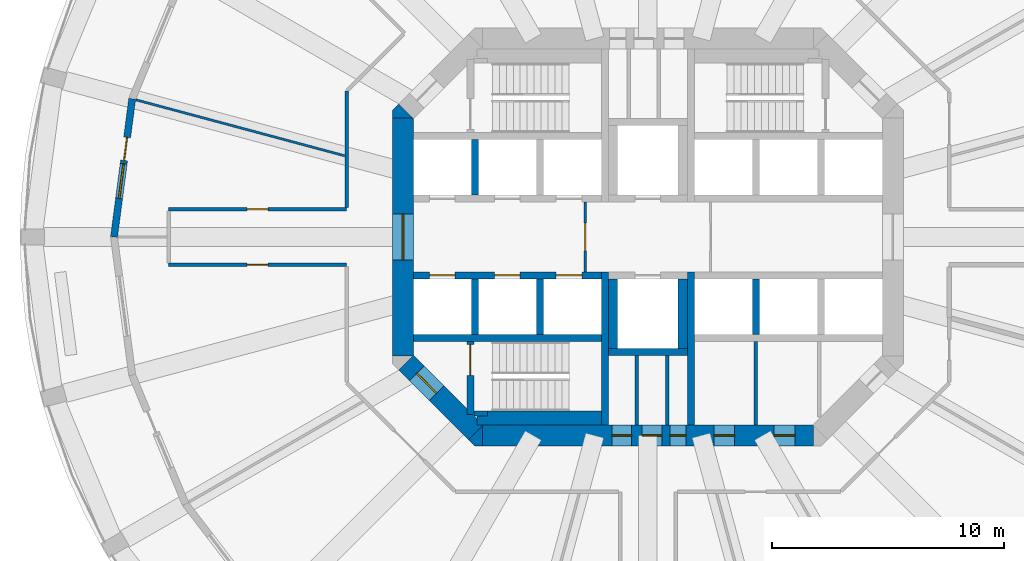
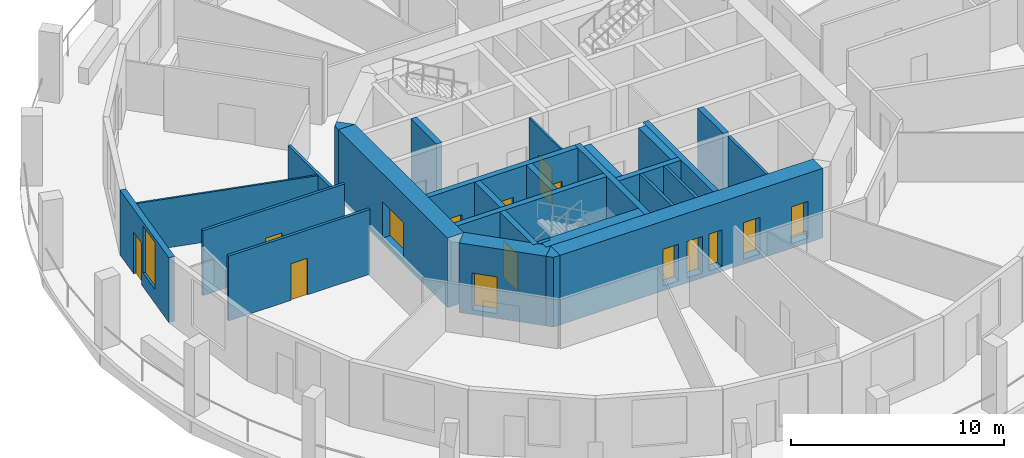
# One storey, part 3 of 9: 28 walls, 15 doors, 1 window, 16 openings.
"""IFC4 building model written with IfcOpenShell, lengths in metres."""

import ifcopenshell
import ifcopenshell.guid

model = None  # the IFC model being written
_history = None  # IfcOwnerHistory: only IFC2X3 demands one
_inside = {}  # id of a spatial element -> (the spatial element, [elements in it])
_under = {}  # id of a project, library or spatial element -> (it, [spatial elements below it])
_declared = {}  # id of a project -> (the project, [libraries it declares])
_typed = {}  # id of a type object -> (the type object, [elements of that type])
_made_of = {}  # id of a material, layer set ... -> (it, [elements and type objects made of it])


def new_model(schema):
    """Start an empty IFC model of exactly this schema.

    Asked for "IFC4X3", IfcOpenShell would pick the latest addendum, in which some entities
    have other attributes; the version numbers below select the first issue.
    IFC2X3 requires an IfcOwnerHistory on every rooted entity: one is made here for all.
    """
    global model, _history
    if schema == "IFC4X3":
        model = ifcopenshell.file(schema_version=(4, 3, 0, 0))
    else:
        model = ifcopenshell.file(schema=schema)
    _inside.clear()
    _under.clear()
    _declared.clear()
    _typed.clear()
    _made_of.clear()
    _history = None
    if model.schema == "IFC2X3":
        org = make("IfcOrganization", Name="unknown")
        user = make(
            "IfcPersonAndOrganization",
            ThePerson=make("IfcPerson", FamilyName="unknown"),
            TheOrganization=org,
        )
        app = make(
            "IfcApplication",
            ApplicationDeveloper=org,
            Version="unknown",
            ApplicationFullName="unknown",
            ApplicationIdentifier="unknown",
        )
        _history = make(
            "IfcOwnerHistory",
            OwningUser=user,
            OwningApplication=app,
            ChangeAction="ADDED",
            CreationDate=0,
        )
    return model


def make(cls, **values):
    """One entity of the class cls with the attributes given. An attribute that is None is left unset."""
    return model.create_entity(
        cls, **{name: value for name, value in values.items() if value is not None}
    )


def rooted(cls, **values):
    """An entity with a GlobalId (a new one), such as an element, a storey or a relation."""
    return make(cls, GlobalId=ifcopenshell.guid.new(), OwnerHistory=_history, **values)


def si_unit(unit_type, name, prefix=None):
    """IfcSIUnit, for example si_unit("LENGTHUNIT", "METRE", prefix="MILLI")."""
    return make("IfcSIUnit", UnitType=unit_type, Prefix=prefix, Name=name)


def assignment(units):
    """IfcUnitAssignment: the units of a project."""
    return None if units is None else make("IfcUnitAssignment", Units=units)


def point(xyz):
    """IfcCartesianPoint."""
    return None if xyz is None else make("IfcCartesianPoint", Coordinates=xyz)


def direction(xyz):
    """IfcDirection."""
    return None if xyz is None else make("IfcDirection", DirectionRatios=xyz)


def frame(location, z_axis=None, x_axis=None):
    """IfcAxis2Placement3D, a coordinate frame: its origin and axes. An axis left out is left unset."""
    return make(
        "IfcAxis2Placement3D",
        Location=point(location),
        Axis=direction(z_axis),
        RefDirection=direction(x_axis),
    )


def frame_2d(location, x_axis=None):
    """IfcAxis2Placement2D, a coordinate frame in the plane: its origin and x axis."""
    return make(
        "IfcAxis2Placement2D", Location=point(location), RefDirection=direction(x_axis)
    )


def origin():
    """The frame at (0, 0, 0) with its axes left unset."""
    return frame((0.0, 0.0, 0.0))


def place(relative_to, where):
    """IfcLocalPlacement: puts the frame where relative to a parent placement (None: the world)."""
    return make(
        "IfcLocalPlacement", PlacementRelTo=relative_to, RelativePlacement=where
    )


def context(
    kind, dimensions, precision=None, world=None, true_north=None, identifier=None
):
    """IfcGeometricRepresentationContext, for example the 3D "Model" context."""
    return make(
        "IfcGeometricRepresentationContext",
        ContextIdentifier=identifier,
        ContextType=kind,
        CoordinateSpaceDimension=dimensions,
        Precision=precision,
        WorldCoordinateSystem=world,
        TrueNorth=true_north,
    )


def subcontext(parent, identifier, kind, view, scale=None):
    """IfcGeometricRepresentationSubContext, for example "Body" below "Model"."""
    return make(
        "IfcGeometricRepresentationSubContext",
        ContextIdentifier=identifier,
        ContextType=kind,
        ParentContext=parent,
        TargetScale=scale,
        TargetView=view,
    )


def project(units=None, contexts=None):
    """IfcProject with its units and contexts."""
    return rooted(
        "IfcProject",
        Name="project",
        RepresentationContexts=contexts,
        UnitsInContext=assignment(units),
    )


def spatial(cls, under=None, at=None, **own):
    """A site, building, storey or space (cls), placed at a placement, below another one or the project."""
    s = rooted(cls, ObjectPlacement=at, **own)
    if under is not None:
        _under.setdefault(under.id(), (under, []))[1].append(s)
    return s


def polyline(points):
    """IfcPolyline through the points."""
    return make("IfcPolyline", Points=[point(p) for p in points])


def profile(cls, at=None, kind="AREA", **sizes):
    """A parametric profile (cls). Its sizes go by their IFC names, for example OverallWidth=200.0."""
    return make(cls, ProfileType=kind, Position=at, **sizes)


def rectangle(**sizes):
    """IfcRectangleProfileDef."""
    return profile("IfcRectangleProfileDef", **sizes)


def outline(outer, holes=None, kind="AREA"):
    """IfcArbitraryClosedProfileDef: a profile drawn as a closed curve; with holes, ...WithVoids."""
    if holes is None:
        return make("IfcArbitraryClosedProfileDef", ProfileType=kind, OuterCurve=outer)
    return make(
        "IfcArbitraryProfileDefWithVoids",
        ProfileType=kind,
        OuterCurve=outer,
        InnerCurves=holes,
    )


def extrude(swept, where, along, depth):
    """IfcExtrudedAreaSolid: the profile swept, set in the frame where, extruded along a direction by depth."""
    return make(
        "IfcExtrudedAreaSolid",
        SweptArea=swept,
        Position=where,
        ExtrudedDirection=direction(along),
        Depth=depth,
    )


def shape(context_of_items, identifier, shape_type, items):
    """IfcShapeRepresentation: the items that make up one representation, for example the "Body"."""
    return make(
        "IfcShapeRepresentation",
        ContextOfItems=context_of_items,
        RepresentationIdentifier=identifier,
        RepresentationType=shape_type,
        Items=items,
    )


def material(Name=None, Category=None):
    """IfcMaterial."""
    return make("IfcMaterial", Name=Name, Category=Category)


def layer(
    of_material, thickness, ventilated=None, Name=None, Category=None, Priority=None
):
    """IfcMaterialLayer: one layer of a wall or slab, of a material (None: an air gap)."""
    return make(
        "IfcMaterialLayer",
        Material=of_material,
        LayerThickness=thickness,
        IsVentilated=ventilated,
        Name=Name,
        Category=Category,
        Priority=Priority,
    )


def layer_set(layers, Name=None):
    """IfcMaterialLayerSet."""
    return make("IfcMaterialLayerSet", MaterialLayers=layers, LayerSetName=Name)


def made_of(thing, what):
    """Note that an element or type object is made of a material, layer set ...; save() writes the relation."""
    if what is not None:
        _made_of.setdefault(what.id(), (what, []))[1].append(thing)
    return thing


def type_object(cls, material=None, **own):
    """A type object (cls), such as IfcWallType, which elements share."""
    return made_of(rooted(cls, **own), material)


def element(
    cls,
    number,
    at=None,
    inside=None,
    cuts=None,
    type_object=None,
    material=None,
    context=None,
    identifier="Body",
    shape_type=None,
    held_by="IfcProductDefinitionShape",
    body=None,
    shapes=None,
    **own,
):
    """One element of the class cls, such as IfcWall. Its Tag is "e" and its number.

    at: its placement. inside: the storey or other place that contains it. cuts: it is an
    opening in that element (IfcRelVoidsElement). A single representation is given by context,
    identifier, shape_type and body (its items); several are given by shapes. held_by: the class
    of the entity that holds the representations. save() writes the other relations.
    """
    e = rooted(cls, Tag="e%d" % number, ObjectPlacement=at, **own)
    if body is not None:
        shapes = [shape(context, identifier, shape_type, body)]
    if shapes is not None:
        e.Representation = make(held_by, Representations=shapes)
    if inside is not None:
        _inside.setdefault(inside.id(), (inside, []))[1].append(e)
    if cuts is not None:
        rooted(
            "IfcRelVoidsElement", RelatingBuildingElement=cuts, RelatedOpeningElement=e
        )
    if type_object is not None:
        _typed.setdefault(type_object.id(), (type_object, []))[1].append(e)
    return made_of(e, material)


def fill(opening, filler):
    """IfcRelFillsElement: the door or window that sits in an opening."""
    return rooted(
        "IfcRelFillsElement",
        RelatingOpeningElement=opening,
        RelatedBuildingElement=filler,
    )


def aggregate(whole, parts):
    """IfcRelAggregates: a whole, such as a stair, and the parts it consists of."""
    return rooted("IfcRelAggregates", RelatingObject=whole, RelatedObjects=parts)


def save(model, path):
    """Write the relations noted so far, then the file.

    IfcRelAggregates (storeys below a building ...), IfcRelContainedInSpatialStructure (elements
    in a storey), IfcRelDefinesByType, IfcRelAssociatesMaterial and IfcRelDeclares: one each for
    every whole, place, type object, material and project.
    """
    for whole, parts in _under.values():
        aggregate(whole, parts)
    for where, things in _inside.values():
        rooted(
            "IfcRelContainedInSpatialStructure",
            RelatedElements=things,
            RelatingStructure=where,
        )
    for kind, things in _typed.values():
        rooted("IfcRelDefinesByType", RelatedObjects=things, RelatingType=kind)
    for what, things in _made_of.values():
        rooted("IfcRelAssociatesMaterial", RelatedObjects=things, RelatingMaterial=what)
    for by, libraries in _declared.values():
        rooted("IfcRelDeclares", RelatingContext=by, RelatedDefinitions=libraries)
    model.write(path)


model = new_model("IFC4")

# Units and contexts
model_context = context("Model", 3, precision=1e-05, world=origin(), true_north=direction((0.0, 1.0)))
body_context = subcontext(model_context, "Body", "Model", "MODEL_VIEW")
ifc_project = project(units=[si_unit("LENGTHUNIT", "METRE"), si_unit("AREAUNIT", "SQUARE_METRE"), si_unit("VOLUMEUNIT", "CUBIC_METRE"), si_unit("PLANEANGLEUNIT", "RADIAN"), si_unit("MASSUNIT", "GRAM", prefix="KILO")], contexts=[model_context])

# Site, building, storey
site_placement = place(None, origin())
site = spatial("IfcSite", under=ifc_project, at=site_placement, CompositionType="ELEMENT")
building_placement = place(site_placement, origin())
building = spatial("IfcBuilding", under=site, at=building_placement, Name="Torre Triforio", CompositionType="ELEMENT")
storey_placement = place(building_placement, frame((0.0, 0.0, 75.0)))
storey = spatial("IfcBuildingStorey", under=building, at=storey_placement, Name="L16", CompositionType="ELEMENT", Elevation=75.0)

# Walls
ifc_material_1 = material(Name="Concrete C60", Category="concrete")
ifc_layer_1 = layer(ifc_material_1, 0.300048828125)
ifc_layer_set_1 = layer_set([ifc_layer_1], Name="Concrete C60")
wall_type_1 = type_object("IfcWallType", Name="Core wall 300 mm C60 EI 120", PredefinedType="SHEAR", material=ifc_layer_set_1)
for number, where, z_axis, x_axis, name in (
    (1, (-1.85009765625, -8.10009765625, 0.0), (0.0, 0.0, 1.0), (0.0, 1.0, 0.0), "Core wall"),
    (2, (1.85009765625, -8.10009765625, 0.0), (0.0, 0.0, 1.0), (0.0, 1.0, 0.0), "Core wall"),
):
    element("IfcWall", number, at=place(storey_placement, frame(where, z_axis=z_axis, x_axis=x_axis)), inside=storey, type_object=wall_type_1, Name=name, PredefinedType="SHEAR", context=body_context, shape_type="SweptSolid", body=[
        extrude(rectangle(XDim=6.60009765625, YDim=0.300048828125, at=frame_2d((3.300048828125, 0.0))), origin(), (0.0, 0.0, 1.0), 3.719970703125),
    ])

# Wall, openings, doors
ifc_layer_2 = layer(ifc_material_1, 0.89990234375)
ifc_layer_set_2 = layer_set([ifc_layer_2], Name="Concrete C60")
wall_type_2 = type_object("IfcWallType", Name="Core wall 900 mm C60 EI 120", PredefinedType="SHEAR", material=ifc_layer_set_2)
wall_1_placement = place(storey_placement, frame((-7.1298828125, -8.550048828125, -0.280029296875), z_axis=(0.0, 0.0, 1.0), x_axis=(1.0, 0.0, 0.0)))
wall_1 = element("IfcWall", 3, at=wall_1_placement, inside=storey, type_object=wall_type_2, Name="Core wall", PredefinedType="SHEAR", context=body_context, shape_type="SweptSolid", body=[
    extrude(rectangle(XDim=14.259765625, YDim=0.89990234375, at=frame_2d((7.1298828125, 0.0))), origin(), (0.0, 0.0, 1.0), 4.0),
])
opening_1_placement = place(wall_1_placement, frame((8.080078125, 0.0, 0.280029296875)))
opening_1 = element("IfcOpeningElement", 4, at=opening_1_placement, cuts=wall_1, Name="Opening RISER-S", PredefinedType="OPENING", context=body_context, shape_type="SweptSolid", body=[
    extrude(rectangle(XDim=0.699951171875, YDim=2.10009765625, at=frame_2d((0.35009765625, 1.050048828125))), frame((0.0, 0.4599609375, 0.0), z_axis=(0.0, -1.0, 0.0), x_axis=(1.0, 0.0, 0.0)), (0.0, 0.0, 1.0), 0.919921875),
])
opening_2_placement = place(wall_1_placement, frame((5.580078125, 0.0, 0.280029296875)))
opening_2 = element("IfcOpeningElement", 5, at=opening_2_placement, cuts=wall_1, Name="Opening SW-01A", PredefinedType="OPENING", context=body_context, shape_type="SweptSolid", body=[
    extrude(rectangle(XDim=0.85009765625, YDim=2.10009765625, at=frame_2d((0.425048828125, 1.050048828125))), frame((0.0, 0.4599609375, 0.0), z_axis=(0.0, -1.0, 0.0), x_axis=(1.0, 0.0, 0.0)), (0.0, 0.0, 1.0), 0.919921875),
])
opening_3_placement = place(wall_1_placement, frame((6.8798828125, 0.0, 0.280029296875)))
opening_3 = element("IfcOpeningElement", 6, at=opening_3_placement, cuts=wall_1, Name="Opening SW-02", PredefinedType="OPENING", context=body_context, shape_type="SweptSolid", body=[
    extrude(rectangle(XDim=0.85009765625, YDim=2.10009765625, at=frame_2d((0.425048828125, 1.050048828125))), frame((0.0, 0.4599609375, 0.0), z_axis=(0.0, -1.0, 0.0), x_axis=(1.0, 0.0, 0.0)), (0.0, 0.0, 1.0), 0.919921875),
])
opening_4_placement = place(wall_1_placement, frame((9.967041015625, 0.0, 0.280029296875)))
opening_4 = element("IfcOpeningElement", 7, at=opening_4_placement, cuts=wall_1, Name="Opening SE-01A", PredefinedType="OPENING", context=body_context, shape_type="SweptSolid", body=[
    extrude(rectangle(XDim=0.89990234375, YDim=2.10009765625, at=frame_2d((0.449951171875, 1.050048828125))), frame((0.0, 0.4599609375, 0.0), z_axis=(0.0, -1.0, 0.0), x_axis=(1.0, 0.0, 0.0)), (0.0, 0.0, 1.0), 0.919921875),
])
opening_5_placement = place(wall_1_placement, frame((12.56689453125, 0.0, 0.280029296875)))
opening_5 = element("IfcOpeningElement", 8, at=opening_5_placement, cuts=wall_1, Name="Opening SE-02", PredefinedType="OPENING", context=body_context, shape_type="SweptSolid", body=[
    extrude(rectangle(XDim=0.89990234375, YDim=2.10009765625, at=frame_2d((0.449951171875, 1.050048828125))), frame((0.0, 0.4599609375, 0.0), z_axis=(0.0, -1.0, 0.0), x_axis=(1.0, 0.0, 0.0)), (0.0, 0.0, 1.0), 0.919921875),
])
ifc_material_2 = material(Name="Hollow metal fire door leaf")
door_type_1 = type_object("IfcDoorType", Name="Riser door 700 x 2100 EI 60", OperationType="NOTDEFINED", PredefinedType="DOOR", material=ifc_material_2)
door_1_placement = place(opening_1_placement, origin())
door_1 = element("IfcDoor", 9, at=door_1_placement, inside=storey, type_object=door_type_1, Name="Core door RISER-S", OperationType="SINGLE_SWING_RIGHT", OverallHeight=2.10009765625, OverallWidth=0.699951171875, PredefinedType="DOOR", context=body_context, shape_type="SweptSolid", body=[
    extrude(rectangle(XDim=0.699951171875, YDim=2.10009765625, at=frame_2d((0.35009765625, 1.050048828125))), frame((0.0, 0.02490234375, 0.0), z_axis=(0.0, -1.0, 0.0), x_axis=(1.0, 0.0, 0.0)), (0.0, 0.0, 1.0), 0.050048828125),
])
fill(opening_1, door_1)
door_type_2 = type_object("IfcDoorType", Name="Room door 850 x 2100 EI 60", OperationType="NOTDEFINED", PredefinedType="DOOR", material=ifc_material_2)
door_2_placement = place(opening_2_placement, origin())
door_2 = element("IfcDoor", 10, at=door_2_placement, inside=storey, type_object=door_type_2, Name="Core door SW-01", OperationType="SINGLE_SWING_RIGHT", OverallHeight=2.10009765625, OverallWidth=0.85009765625, PredefinedType="DOOR", context=body_context, shape_type="SweptSolid", body=[
    extrude(rectangle(XDim=0.85009765625, YDim=2.10009765625, at=frame_2d((0.425048828125, 1.050048828125))), frame((0.0, 0.02490234375, 0.0), z_axis=(0.0, -1.0, 0.0), x_axis=(1.0, 0.0, 0.0)), (0.0, 0.0, 1.0), 0.050048828125),
])
fill(opening_2, door_2)
door_3_placement = place(opening_3_placement, origin())
door_3 = element("IfcDoor", 11, at=door_3_placement, inside=storey, type_object=door_type_2, Name="Core door SW-02", OperationType="SINGLE_SWING_LEFT", OverallHeight=2.10009765625, OverallWidth=0.85009765625, PredefinedType="DOOR", context=body_context, shape_type="SweptSolid", body=[
    extrude(rectangle(XDim=0.85009765625, YDim=2.10009765625, at=frame_2d((0.425048828125, 1.050048828125))), frame((0.0, 0.02490234375, 0.0), z_axis=(0.0, -1.0, 0.0), x_axis=(1.0, 0.0, 0.0)), (0.0, 0.0, 1.0), 0.050048828125),
])
fill(opening_3, door_3)
door_type_3 = type_object("IfcDoorType", Name="Room door 900 x 2100 EI 60", OperationType="NOTDEFINED", PredefinedType="DOOR", material=ifc_material_2)
door_4_placement = place(opening_4_placement, origin())
door_4 = element("IfcDoor", 12, at=door_4_placement, inside=storey, type_object=door_type_3, Name="Core door SE-01", OperationType="SINGLE_SWING_LEFT", OverallHeight=2.10009765625, OverallWidth=0.89990234375, PredefinedType="DOOR", context=body_context, shape_type="SweptSolid", body=[
    extrude(rectangle(XDim=0.89990234375, YDim=2.10009765625, at=frame_2d((0.449951171875, 1.050048828125))), frame((0.0, 0.02490234375, 0.0), z_axis=(0.0, -1.0, 0.0), x_axis=(1.0, 0.0, 0.0)), (0.0, 0.0, 1.0), 0.050048828125),
])
fill(opening_4, door_4)
door_5_placement = place(opening_5_placement, origin())
door_5 = element("IfcDoor", 13, at=door_5_placement, inside=storey, type_object=door_type_3, Name="Core door SE-02", OperationType="SINGLE_SWING_LEFT", OverallHeight=2.10009765625, OverallWidth=0.89990234375, PredefinedType="DOOR", context=body_context, shape_type="SweptSolid", body=[
    extrude(rectangle(XDim=0.89990234375, YDim=2.10009765625, at=frame_2d((0.449951171875, 1.050048828125))), frame((0.0, 0.02490234375, 0.0), z_axis=(0.0, -1.0, 0.0), x_axis=(1.0, 0.0, 0.0)), (0.0, 0.0, 1.0), 0.050048828125),
])
fill(opening_5, door_5)

# Wall, opening, door
wall_2_placement = place(storey_placement, frame((-10.550048828125, -5.1298828125, -0.280029296875), z_axis=(0.0, 0.0, 1.0), x_axis=(0.0, 1.0, 0.0)))
wall_2 = element("IfcWall", 14, at=wall_2_placement, inside=storey, type_object=wall_type_2, Name="Core wall", PredefinedType="SHEAR", context=body_context, shape_type="SweptSolid", body=[
    extrude(rectangle(XDim=10.259765625, YDim=0.89990234375, at=frame_2d((5.1298828125, 0.0))), origin(), (0.0, 0.0, 1.0), 4.0),
])
opening_6_placement = place(wall_2_placement, frame((4.1298828125, 0.0, 0.280029296875)))
opening_6 = element("IfcOpeningElement", 15, at=opening_6_placement, cuts=wall_2, Name="Opening W-RING", PredefinedType="OPENING", context=body_context, shape_type="SweptSolid", body=[
    extrude(rectangle(XDim=2.0, YDim=2.10009765625, at=frame_2d((1.0, 1.050048828125))), frame((0.0, 0.4599609375, 0.0), z_axis=(0.0, -1.0, 0.0), x_axis=(1.0, 0.0, 0.0)), (0.0, 0.0, 1.0), 0.919921875),
])
door_type_4 = type_object("IfcDoorType", Name="Lobby door 2000 x 2100 EI 60", OperationType="DOUBLE_DOOR_SINGLE_SWING", PredefinedType="DOOR", material=ifc_material_2)
door_6_placement = place(opening_6_placement, origin())
door_6 = element("IfcDoor", 16, at=door_6_placement, inside=storey, type_object=door_type_4, Name="Core door W-RING", OperationType="DOUBLE_DOOR_SINGLE_SWING", OverallHeight=2.10009765625, OverallWidth=2.0, PredefinedType="DOOR", context=body_context, shape_type="SweptSolid", body=[
    extrude(rectangle(XDim=2.0, YDim=2.10009765625, at=frame_2d((1.0, 1.050048828125))), frame((0.0, 0.02490234375, 0.0), z_axis=(0.0, -1.0, 0.0), x_axis=(1.0, 0.0, 0.0)), (0.0, 0.0, 1.0), 0.050048828125),
])
fill(opening_6, door_6)

wall_3_placement = place(storey_placement, frame((-7.418212890625, -8.418212890625, -0.280029296875), z_axis=(0.0, 0.0, 1.0), x_axis=(-0.707106781187, 0.707106781187, 0.0)))
wall_3 = element("IfcWall", 17, at=wall_3_placement, inside=storey, type_object=wall_type_2, Name="Core wall", PredefinedType="SHEAR", context=body_context, shape_type="SweptSolid", body=[
    extrude(rectangle(XDim=4.24267578125, YDim=0.89990234375, at=frame_2d((2.121337890625, 0.0))), origin(), (0.0, 0.0, 1.0), 4.0),
])
opening_7_placement = place(wall_3_placement, frame((2.392578125, 0.0, 0.280029296875)))
opening_7 = element("IfcOpeningElement", 18, at=opening_7_placement, cuts=wall_3, Name="Opening ST3-EXIT", PredefinedType="OPENING", context=body_context, shape_type="SweptSolid", body=[
    extrude(rectangle(XDim=1.199951171875, YDim=2.10009765625, at=frame_2d((0.60009765625, 1.050048828125))), frame((0.0, 0.4599609375, 0.0), z_axis=(0.0, -1.0, 0.0), x_axis=(1.0, 0.0, 0.0)), (0.0, 0.0, 1.0), 0.919921875),
])
door_type_5 = type_object("IfcDoorType", Name="Stair lobby door 1200 x 2100 EI 60", OperationType="NOTDEFINED", PredefinedType="DOOR", material=ifc_material_2)
door_7_placement = place(opening_7_placement, origin())
door_7 = element("IfcDoor", 19, at=door_7_placement, inside=storey, type_object=door_type_5, Name="Core door ST3-EXIT", OperationType="SINGLE_SWING_RIGHT", OverallHeight=2.10009765625, OverallWidth=1.199951171875, PredefinedType="DOOR", context=body_context, shape_type="SweptSolid", body=[
    extrude(rectangle(XDim=1.199951171875, YDim=2.10009765625, at=frame_2d((0.60009765625, 1.050048828125))), frame((0.0, 0.02490234375, 0.0), z_axis=(0.0, -1.0, 0.0), x_axis=(1.0, 0.0, 0.0)), (0.0, 0.0, 1.0), 0.050048828125),
])
fill(opening_7, door_7)

# Walls
wall_4_placement = place(storey_placement, frame((0.0, 0.0, -0.280029296875)))
element("IfcWall", 20, at=wall_4_placement, inside=storey, type_object=wall_type_2, Name="Core wall", PredefinedType="SHEAR", context=body_context, shape_type="SweptSolid", body=[
    extrude(outline(polyline([(-7.472900390625, -9.0), (-7.736328125, -8.736328125), (-7.1298828125, -8.1298828125), (-7.1298828125, -9.0), (-7.472900390625, -9.0)])), origin(), (0.0, 0.0, 1.0), 4.0),
])
wall_5_placement = place(storey_placement, frame((0.0, 0.0, -0.280029296875)))
element("IfcWall", 21, at=wall_5_placement, inside=storey, type_object=wall_type_2, Name="Core wall", PredefinedType="SHEAR", context=body_context, shape_type="SweptSolid", body=[
    extrude(outline(polyline([(-10.736328125, 5.736328125), (-10.1298828125, 5.1298828125), (-11.0, 5.1298828125), (-11.0, 5.472900390625), (-10.736328125, 5.736328125)])), origin(), (0.0, 0.0, 1.0), 4.0),
])

# Wall, opening, door
ifc_material_3 = material(Name="Plasterboard on metal studs")
ifc_layer_3 = layer(ifc_material_3, 0.14990234375)
ifc_layer_set_3 = layer_set([ifc_layer_3], Name="Plasterboard on metal studs")
wall_type_3 = type_object("IfcWallType", Name="Corridor and tenancy wall 150 mm EI 60", PredefinedType="PARTITIONING", material=ifc_layer_set_3)
wall_6_placement = place(storey_placement, frame((-12.97509765625, -1.199951171875, 0.0), z_axis=(0.0, 0.0, 1.0), x_axis=(-1.0, 0.0, 0.0)))
wall_6 = element("IfcWall", 22, at=wall_6_placement, inside=storey, type_object=wall_type_3, Name="Partition 3", PredefinedType="PARTITIONING", context=body_context, shape_type="SweptSolid", body=[
    extrude(rectangle(XDim=7.673583984375, YDim=0.14990234375, at=frame_2d((3.8369140625, 0.0))), origin(), (0.0, 0.0, 1.0), 3.719970703125),
])
opening_8_placement = place(wall_6_placement, frame((3.386962890625, 0.0, 0.0)))
opening_8 = element("IfcOpeningElement", 23, at=opening_8_placement, cuts=wall_6, Name="Opening N5-07", PredefinedType="OPENING", context=body_context, shape_type="SweptSolid", body=[
    extrude(rectangle(XDim=0.89990234375, YDim=2.10009765625, at=frame_2d((0.449951171875, 1.050048828125))), frame((0.0, 0.0849609375, 0.0), z_axis=(0.0, -1.0, 0.0), x_axis=(1.0, 0.0, 0.0)), (0.0, 0.0, 1.0), 0.169921875),
])
ifc_material_4 = material(Name="Timber", Category="wood")
door_type_6 = type_object("IfcDoorType", Name="Door 900 x 2100 single leaf EI 30", OperationType="NOTDEFINED", PredefinedType="DOOR", material=ifc_material_4)
door_8_placement = place(opening_8_placement, origin())
door_8 = element("IfcDoor", 24, at=door_8_placement, inside=storey, type_object=door_type_6, Name="Door N5-07", OperationType="SINGLE_SWING_RIGHT", OverallHeight=2.10009765625, OverallWidth=0.89990234375, PredefinedType="DOOR", context=body_context, shape_type="SweptSolid", body=[
    extrude(rectangle(XDim=0.89990234375, YDim=2.10009765625, at=frame_2d((0.449951171875, 1.050048828125))), frame((0.0, 0.02490234375, 0.0), z_axis=(0.0, -1.0, 0.0), x_axis=(1.0, 0.0, 0.0)), (0.0, 0.0, 1.0), 0.050048828125),
])
fill(opening_8, door_8)

wall_7_placement = place(storey_placement, frame((-20.648681640625, 1.199951171875, 0.0), z_axis=(0.0, 0.0, 1.0), x_axis=(1.0, 0.0, 0.0)))
wall_7 = element("IfcWall", 25, at=wall_7_placement, inside=storey, type_object=wall_type_3, Name="Partition 5", PredefinedType="PARTITIONING", context=body_context, shape_type="SweptSolid", body=[
    extrude(rectangle(XDim=7.673583984375, YDim=0.14990234375, at=frame_2d((3.8369140625, 0.0))), origin(), (0.0, 0.0, 1.0), 3.719970703125),
])
opening_9_placement = place(wall_7_placement, frame((3.386962890625, 0.0, 0.0)))
opening_9 = element("IfcOpeningElement", 26, at=opening_9_placement, cuts=wall_7, Name="Opening N5-06", PredefinedType="OPENING", context=body_context, shape_type="SweptSolid", body=[
    extrude(rectangle(XDim=0.89990234375, YDim=2.10009765625, at=frame_2d((0.449951171875, 1.050048828125))), frame((0.0, 0.0849609375, 0.0), z_axis=(0.0, -1.0, 0.0), x_axis=(1.0, 0.0, 0.0)), (0.0, 0.0, 1.0), 0.169921875),
])
door_9_placement = place(opening_9_placement, origin())
door_9 = element("IfcDoor", 27, at=door_9_placement, inside=storey, type_object=door_type_6, Name="Door N5-06", OperationType="SINGLE_SWING_RIGHT", OverallHeight=2.10009765625, OverallWidth=0.89990234375, PredefinedType="DOOR", context=body_context, shape_type="SweptSolid", body=[
    extrude(rectangle(XDim=0.89990234375, YDim=2.10009765625, at=frame_2d((0.449951171875, 1.050048828125))), frame((0.0, 0.02490234375, 0.0), z_axis=(0.0, -1.0, 0.0), x_axis=(1.0, 0.0, 0.0)), (0.0, 0.0, 1.0), 0.050048828125),
])
fill(opening_9, door_9)

# Wall
wall_8_placement = place(storey_placement, frame((-12.97509765625, 1.27490234375, 0.0), z_axis=(0.0, 0.0, 1.0), x_axis=(0.0, 1.0, 0.0)))
element("IfcWall", 28, at=wall_8_placement, inside=storey, type_object=wall_type_3, Name="Partition 6", PredefinedType="PARTITIONING", context=body_context, shape_type="SweptSolid", body=[
    extrude(rectangle(XDim=5.01611328125, YDim=0.14990234375, at=frame_2d((2.508056640625, 0.0))), origin(), (0.0, 0.0, 1.0), 2.820068359375),
])

# Wall, opening, door
ifc_material_5 = material(Name="Block and board partition")
ifc_layer_4 = layer(ifc_material_5, 0.10009765625)
ifc_layer_set_4 = layer_set([ifc_layer_4], Name="Block and board partition")
wall_type_4 = type_object("IfcWallType", Name="Partition 100 mm EI 120", PredefinedType="PARTITIONING", material=ifc_layer_set_4)
wall_9_placement = place(storey_placement, frame((-2.699951171875, -1.5, 0.0), z_axis=(0.0, 0.0, 1.0), x_axis=(0.0, 1.0, 0.0)))
wall_9 = element("IfcWall", 29, at=wall_9_placement, inside=storey, type_object=wall_type_4, Name="Partition", PredefinedType="PARTITIONING", context=body_context, shape_type="SweptSolid", body=[
    extrude(rectangle(XDim=3.0, YDim=0.10009765625, at=frame_2d((1.5, 0.0))), origin(), (0.0, 0.0, 1.0), 3.719970703125),
])
opening_10_placement = place(wall_9_placement, frame((0.89990234375, 0.0, 0.0)))
opening_10 = element("IfcOpeningElement", 30, at=opening_10_placement, cuts=wall_9, Name="Opening FF-W", PredefinedType="OPENING", context=body_context, shape_type="SweptSolid", body=[
    extrude(rectangle(XDim=1.199951171875, YDim=2.10009765625, at=frame_2d((0.60009765625, 1.050048828125))), frame((0.0, 0.06005859375, 0.0), z_axis=(0.0, -1.0, 0.0), x_axis=(1.0, 0.0, 0.0)), (0.0, 0.0, 1.0), 0.1201171875),
])
door_type_7 = type_object("IfcDoorType", Name="Fire-fighting lobby door 1200 x 2100 EI 60", OperationType="NOTDEFINED", PredefinedType="DOOR", material=ifc_material_2)
door_10_placement = place(opening_10_placement, origin())
door_10 = element("IfcDoor", 31, at=door_10_placement, inside=storey, type_object=door_type_7, Name="Core door FF-W", OperationType="SINGLE_SWING_LEFT", OverallHeight=2.10009765625, OverallWidth=1.199951171875, PredefinedType="DOOR", context=body_context, shape_type="SweptSolid", body=[
    extrude(rectangle(XDim=1.199951171875, YDim=2.10009765625, at=frame_2d((0.60009765625, 1.050048828125))), frame((0.0, 0.02490234375, 0.0), z_axis=(0.0, -1.0, 0.0), x_axis=(1.0, 0.0, 0.0)), (0.0, 0.0, 1.0), 0.050048828125),
])
fill(opening_10, door_10)

# Walls
ifc_layer_5 = layer(ifc_material_3, 0.10009765625)
ifc_layer_set_5 = layer_set([ifc_layer_5], Name="Plasterboard on metal studs")
wall_type_5 = type_object("IfcWallType", Name="Partition 100 mm board on metal studs", PredefinedType="PARTITIONING", material=ifc_layer_set_5)
wall_10_placement = place(storey_placement, frame((-13.064208984375, 3.50048828125, 0.0), z_axis=(0.0, 0.0, 1.0), x_axis=(-0.965922655056, 0.258830880017, 0.0)))
element("IfcWall", 32, at=wall_10_placement, inside=storey, type_object=wall_type_5, Name="Partition 38", PredefinedType="PARTITIONING", context=body_context, shape_type="SweptSolid", body=[
    extrude(rectangle(XDim=9.311767578125, YDim=0.10009765625, at=frame_2d((4.65576171875, 0.0))), origin(), (0.0, 0.0, 1.0), 2.820068359375),
])
ifc_layer_6 = layer(ifc_material_5, 0.14990234375)
ifc_layer_set_6 = layer_set([ifc_layer_6], Name="Block and board partition")
wall_type_6 = type_object("IfcWallType", Name="Partition 150 mm", PredefinedType="PARTITIONING", material=ifc_layer_set_6)
wall_11_placement = place(storey_placement, frame((-0.47509765625, -8.10009765625, 0.0), z_axis=(0.0, 0.0, 1.0), x_axis=(0.0, 1.0, 0.0)))
element("IfcWall", 33, at=wall_11_placement, inside=storey, type_object=wall_type_6, Name="Partition", PredefinedType="PARTITIONING", context=body_context, shape_type="SweptSolid", body=[
    extrude(rectangle(XDim=3.0, YDim=0.14990234375, at=frame_2d((1.5, 0.0))), origin(), (0.0, 0.0, 1.0), 3.719970703125),
])
wall_12_placement = place(storey_placement, frame((4.64892578125, -8.10009765625, 0.0), z_axis=(0.0, 0.0, 1.0), x_axis=(0.0, 1.0, 0.0)))
element("IfcWall", 34, at=wall_12_placement, inside=storey, type_object=wall_type_6, Name="Partition", PredefinedType="PARTITIONING", context=body_context, shape_type="SweptSolid", body=[
    extrude(rectangle(XDim=3.60009765625, YDim=0.14990234375, at=frame_2d((1.800048828125, 0.0))), origin(), (0.0, 0.0, 1.0), 3.719970703125),
])
ifc_layer_7 = layer(ifc_material_5, 0.14990234375)
ifc_layer_set_7 = layer_set([ifc_layer_7], Name="Block and board partition")
wall_type_7 = type_object("IfcWallType", Name="Partition 150 mm EI 120", PredefinedType="PARTITIONING", material=ifc_layer_set_7)
wall_13_placement = place(storey_placement, frame((0.824951171875, -8.10009765625, 0.0), z_axis=(0.0, 0.0, 1.0), x_axis=(0.0, 1.0, 0.0)))
element("IfcWall", 35, at=wall_13_placement, inside=storey, type_object=wall_type_7, Name="Partition", PredefinedType="PARTITIONING", context=body_context, shape_type="SweptSolid", body=[
    extrude(rectangle(XDim=3.0, YDim=0.14990234375, at=frame_2d((1.5, 0.0))), origin(), (0.0, 0.0, 1.0), 3.719970703125),
])
ifc_layer_8 = layer(ifc_material_1, 0.300048828125)
ifc_layer_set_8 = layer_set([ifc_layer_8], Name="Concrete C60")
wall_type_8 = type_object("IfcWallType", Name="Shaft wall 300 mm C60 EI 120", PredefinedType="SOLIDWALL", material=ifc_layer_set_8)
wall_14_placement = place(storey_placement, frame((-10.10009765625, -4.35009765625, 0.0), z_axis=(0.0, 0.0, 1.0), x_axis=(1.0, 0.0, 0.0)))
element("IfcWall", 36, at=wall_14_placement, inside=storey, type_object=wall_type_8, Name="Shaft wall", PredefinedType="SOLIDWALL", context=body_context, shape_type="SweptSolid", body=[
    extrude(rectangle(XDim=8.10009765625, YDim=0.300048828125, at=frame_2d((4.050048828125, 0.0))), origin(), (0.0, 0.0, 1.0), 3.719970703125),
])

# Wall, openings, doors
wall_15_placement = place(storey_placement, frame((-10.10009765625, -1.64990234375, 0.0), z_axis=(0.0, 0.0, 1.0), x_axis=(1.0, 0.0, 0.0)))
wall_15 = element("IfcWall", 37, at=wall_15_placement, inside=storey, type_object=wall_type_8, Name="Shaft wall", PredefinedType="SOLIDWALL", context=body_context, shape_type="SweptSolid", body=[
    extrude(rectangle(XDim=8.10009765625, YDim=0.300048828125, at=frame_2d((4.050048828125, 0.0))), origin(), (0.0, 0.0, 1.0), 3.719970703125),
])
opening_11_placement = place(wall_15_placement, frame((0.699951171875, 0.0, 0.0)))
opening_11 = element("IfcOpeningElement", 38, at=opening_11_placement, cuts=wall_15, Name="Opening LD", PredefinedType="OPENING", context=body_context, shape_type="SweptSolid", body=[
    extrude(rectangle(XDim=1.10009765625, YDim=2.10009765625, at=frame_2d((0.550048828125, 1.050048828125))), frame((0.0, 0.159912109375, 0.0), z_axis=(0.0, -1.0, 0.0), x_axis=(1.0, 0.0, 0.0)), (0.0, 0.0, 1.0), 0.320068359375),
])
opening_12_placement = place(wall_15_placement, frame((3.5, 0.0, 0.0)))
opening_12 = element("IfcOpeningElement", 39, at=opening_12_placement, cuts=wall_15, Name="Opening LD", PredefinedType="OPENING", context=body_context, shape_type="SweptSolid", body=[
    extrude(rectangle(XDim=1.10009765625, YDim=2.10009765625, at=frame_2d((0.550048828125, 1.050048828125))), frame((0.0, 0.159912109375, 0.0), z_axis=(0.0, -1.0, 0.0), x_axis=(1.0, 0.0, 0.0)), (0.0, 0.0, 1.0), 0.320068359375),
])
opening_13_placement = place(wall_15_placement, frame((6.14990234375, 0.0, 0.0)))
opening_13 = element("IfcOpeningElement", 40, at=opening_13_placement, cuts=wall_15, Name="Opening LD", PredefinedType="OPENING", context=body_context, shape_type="SweptSolid", body=[
    extrude(rectangle(XDim=1.10009765625, YDim=2.10009765625, at=frame_2d((0.550048828125, 1.050048828125))), frame((0.0, 0.159912109375, 0.0), z_axis=(0.0, -1.0, 0.0), x_axis=(1.0, 0.0, 0.0)), (0.0, 0.0, 1.0), 0.320068359375),
])
door_type_8 = type_object("IfcDoorType", Name="Landing door 1100 x 2100 EI 60", OperationType="DOUBLE_DOOR_SLIDING", PredefinedType="DOOR", material=ifc_material_2)
door_11_placement = place(opening_11_placement, origin())
door_11 = element("IfcDoor", 41, at=door_11_placement, inside=storey, type_object=door_type_8, Name="Landing door LR4", OperationType="DOUBLE_DOOR_SLIDING", OverallHeight=2.10009765625, OverallWidth=1.10009765625, PredefinedType="DOOR", context=body_context, shape_type="SweptSolid", body=[
    extrude(rectangle(XDim=1.10009765625, YDim=2.10009765625, at=frame_2d((0.550048828125, 1.050048828125))), frame((0.0, 0.02490234375, 0.0), z_axis=(0.0, -1.0, 0.0), x_axis=(1.0, 0.0, 0.0)), (0.0, 0.0, 1.0), 0.050048828125),
])
fill(opening_11, door_11)
door_12_placement = place(opening_12_placement, origin())
door_12 = element("IfcDoor", 42, at=door_12_placement, inside=storey, type_object=door_type_8, Name="Landing door LR5", OperationType="DOUBLE_DOOR_SLIDING", OverallHeight=2.10009765625, OverallWidth=1.10009765625, PredefinedType="DOOR", context=body_context, shape_type="SweptSolid", body=[
    extrude(rectangle(XDim=1.10009765625, YDim=2.10009765625, at=frame_2d((0.550048828125, 1.050048828125))), frame((0.0, 0.02490234375, 0.0), z_axis=(0.0, -1.0, 0.0), x_axis=(1.0, 0.0, 0.0)), (0.0, 0.0, 1.0), 0.050048828125),
])
fill(opening_12, door_12)
door_13_placement = place(opening_13_placement, origin())
door_13 = element("IfcDoor", 43, at=door_13_placement, inside=storey, type_object=door_type_8, Name="Landing door LR6", OperationType="DOUBLE_DOOR_SLIDING", OverallHeight=2.10009765625, OverallWidth=1.10009765625, PredefinedType="DOOR", context=body_context, shape_type="SweptSolid", body=[
    extrude(rectangle(XDim=1.10009765625, YDim=2.10009765625, at=frame_2d((0.550048828125, 1.050048828125))), frame((0.0, 0.02490234375, 0.0), z_axis=(0.0, -1.0, 0.0), x_axis=(1.0, 0.0, 0.0)), (0.0, 0.0, 1.0), 0.050048828125),
])
fill(opening_13, door_13)

# Walls
for number, where, z_axis, x_axis, name in (
    (44, (-7.449951171875, 1.800048828125, 0.0), (0.0, 0.0, 1.0), (0.0, 1.0, 0.0), "Shaft wall"),
    (45, (-7.449951171875, -4.199951171875, 0.0), (0.0, 0.0, 1.0), (0.0, 1.0, 0.0), "Shaft wall"),
    (46, (-4.64990234375, -4.199951171875, 0.0), (0.0, 0.0, 1.0), (0.0, 1.0, 0.0), "Shaft wall"),
    (47, (4.64990234375, -4.199951171875, 0.0), (0.0, 0.0, 1.0), (0.0, 1.0, 0.0), "Shaft wall"),
):
    element("IfcWall", number, at=place(storey_placement, frame(where, z_axis=z_axis, x_axis=x_axis)), inside=storey, type_object=wall_type_8, Name=name, PredefinedType="SOLIDWALL", context=body_context, shape_type="SweptSolid", body=[
        extrude(rectangle(XDim=2.39990234375, YDim=0.300048828125, at=frame_2d((1.199951171875, 0.0))), origin(), (0.0, 0.0, 1.0), 3.719970703125),
    ])
wall_16_placement = place(storey_placement, frame((-1.699951171875, -4.949951171875, 0.0), z_axis=(0.0, 0.0, 1.0), x_axis=(1.0, 0.0, 0.0)))
element("IfcWall", 48, at=wall_16_placement, inside=storey, type_object=wall_type_8, Name="Shaft wall", PredefinedType="SOLIDWALL", context=body_context, shape_type="SweptSolid", body=[
    extrude(rectangle(XDim=3.39990234375, YDim=0.300048828125, at=frame_2d((1.699951171875, 0.0))), origin(), (0.0, 0.0, 1.0), 3.719970703125),
])
ifc_layer_9 = layer(ifc_material_1, 0.39990234375)
ifc_layer_set_9 = layer_set([ifc_layer_9], Name="Concrete C60")
wall_type_9 = type_object("IfcWallType", Name="Shaft wall 400 mm C60 EI 120", PredefinedType="SOLIDWALL", material=ifc_layer_set_9)
for number, where, z_axis, x_axis, name in (
    (49, (-1.5, -4.800048828125, 0.0), (0.0, 0.0, 1.0), (0.0, 1.0, 0.0), "Shaft wall"),
    (50, (1.5, -4.800048828125, 0.0), (0.0, 0.0, 1.0), (0.0, 1.0, 0.0), "Shaft wall"),
):
    element("IfcWall", number, at=place(storey_placement, frame(where, z_axis=z_axis, x_axis=x_axis)), inside=storey, type_object=wall_type_9, Name=name, PredefinedType="SOLIDWALL", context=body_context, shape_type="SweptSolid", body=[
        extrude(rectangle(XDim=3.0, YDim=0.39990234375, at=frame_2d((1.5, 0.0))), origin(), (0.0, 0.0, 1.0), 3.719970703125),
    ])
ifc_layer_10 = layer(ifc_material_1, 0.199951171875)
ifc_layer_set_10 = layer_set([ifc_layer_10], Name="Concrete C60")
wall_type_10 = type_object("IfcWallType", Name="Stair wall 200 mm C60 EI 120", PredefinedType="SHEAR", material=ifc_layer_set_10)
wall_17_placement = place(storey_placement, frame((-7.5, -7.60009765625, 0.0), z_axis=(0.0, 0.0, 1.0), x_axis=(1.0, 0.0, 0.0)))
element("IfcWall", 51, at=wall_17_placement, inside=storey, type_object=wall_type_10, Name="Stair wall", PredefinedType="SHEAR", context=body_context, shape_type="SweptSolid", body=[
    extrude(rectangle(XDim=0.60009765625, YDim=0.199951171875, at=frame_2d((0.300048828125, 0.0))), origin(), (0.0, 0.0, 1.0), 3.719970703125),
])

# Wall, opening, door
ifc_layer_11 = layer(ifc_material_1, 0.300048828125)
ifc_layer_set_11 = layer_set([ifc_layer_11], Name="Concrete C60")
wall_type_11 = type_object("IfcWallType", Name="Stair wall 300 mm C60 EI 120", PredefinedType="SHEAR", material=ifc_layer_set_11)
wall_18_placement = place(storey_placement, frame((-7.64990234375, -7.639892578125, 0.0), z_axis=(0.0, 0.0, 1.0), x_axis=(0.0, 1.0, 0.0)))
wall_18 = element("IfcWall", 52, at=wall_18_placement, inside=storey, type_object=wall_type_11, Name="Stair wall", PredefinedType="SHEAR", context=body_context, shape_type="SweptSolid", body=[
    extrude(rectangle(XDim=3.139892578125, YDim=0.300048828125, at=frame_2d((1.56982421875, 0.0))), origin(), (0.0, 0.0, 1.0), 3.719970703125),
])
opening_14_placement = place(wall_18_placement, frame((1.679931640625, 0.0, 0.0)))
opening_14 = element("IfcOpeningElement", 53, at=opening_14_placement, cuts=wall_18, Name="Opening ST3-STA", PredefinedType="OPENING", context=body_context, shape_type="SweptSolid", body=[
    extrude(rectangle(XDim=1.320068359375, YDim=2.10009765625, at=frame_2d((0.66015625, 1.050048828125))), frame((0.0, 0.159912109375, 0.0), z_axis=(0.0, -1.0, 0.0), x_axis=(1.0, 0.0, 0.0)), (0.0, 0.0, 1.0), 0.320068359375),
])
door_type_9 = type_object("IfcDoorType", Name="Stair door 1320 x 2100 EI 90", OperationType="DOUBLE_DOOR_SINGLE_SWING", PredefinedType="DOOR", material=ifc_material_2)
door_14_placement = place(opening_14_placement, origin())
door_14 = element("IfcDoor", 54, at=door_14_placement, inside=storey, type_object=door_type_9, Name="Core door ST3-ST", OperationType="DOUBLE_DOOR_SINGLE_SWING", OverallHeight=2.10009765625, OverallWidth=1.320068359375, PredefinedType="DOOR", context=body_context, shape_type="SweptSolid", body=[
    extrude(rectangle(XDim=1.320068359375, YDim=2.10009765625, at=frame_2d((0.66015625, 1.050048828125))), frame((0.0, 0.02490234375, 0.0), z_axis=(0.0, -1.0, 0.0), x_axis=(1.0, 0.0, 0.0)), (0.0, 0.0, 1.0), 0.050048828125),
])
fill(opening_14, door_14)

# Wall
ifc_layer_12 = layer(ifc_material_1, 0.60009765625)
ifc_layer_set_12 = layer_set([ifc_layer_12], Name="Concrete C60")
wall_type_12 = type_object("IfcWallType", Name="Stair wall 600 mm C60 EI 120", PredefinedType="SHEAR", material=ifc_layer_set_12)
wall_19_placement = place(storey_placement, frame((-7.3701171875, -7.800048828125, 0.0), z_axis=(0.0, 0.0, 1.0), x_axis=(1.0, 0.0, 0.0)))
element("IfcWall", 55, at=wall_19_placement, inside=storey, type_object=wall_type_12, Name="Stair wall", PredefinedType="SHEAR", context=body_context, shape_type="SweptSolid", body=[
    extrude(rectangle(XDim=5.3701171875, YDim=0.60009765625, at=frame_2d((2.68505859375, 0.0))), origin(), (0.0, 0.0, 1.0), 3.719970703125),
])

# Wall, openings, door, window
ifc_material_6 = material(Name="Limestone cladding", Category="masonry")
ifc_layer_13 = layer(ifc_material_6, 0.10009765625)
ifc_material_7 = material(Name="Concrete C40", Category="concrete")
ifc_layer_14 = layer(ifc_material_7, 0.199951171875)
ifc_layer_set_13 = layer_set([ifc_layer_13, ifc_layer_14], Name="Limestone cladding / Concrete C40")
wall_type_13 = type_object("IfcWallType", Name="Stone-faced composite wall 300", PredefinedType="STANDARD", material=ifc_layer_set_13)
wall_20_placement = place(storey_placement, frame((-22.21630859375, 5.952880859375, 0.0), z_axis=(0.0, 0.0, 1.0), x_axis=(-0.130522880875, -0.991445297315, 0.0)))
wall_20 = element("IfcWall", 56, at=wall_20_placement, inside=storey, type_object=wall_type_13, Name="External wall L16 bay 12", PredefinedType="STANDARD", context=body_context, shape_type="SweptSolid", body=[
    extrude(rectangle(XDim=6.004150390625, YDim=0.300048828125, at=frame_2d((3.001953125, 0.0))), origin(), (0.0, 0.0, 1.0), 3.719970703125),
])
opening_15_placement = place(wall_20_placement, frame((1.677001953125, 0.0, 0.0)))
opening_15 = element("IfcOpeningElement", 57, at=opening_15_placement, cuts=wall_20, Name="Opening N5-D12", PredefinedType="OPENING", context=body_context, shape_type="SweptSolid", body=[
    extrude(rectangle(XDim=1.0, YDim=2.39990234375, at=frame_2d((0.5, 1.199951171875))), frame((0.0, 0.159912109375, 0.0), z_axis=(0.0, -1.0, 0.0), x_axis=(1.0, 0.0, 0.0)), (0.0, 0.0, 1.0), 0.320068359375),
])
opening_16_placement = place(wall_20_placement, frame((2.8271484375, 0.0, 0.800048828125)))
opening_16 = element("IfcOpeningElement", 58, at=opening_16_placement, cuts=wall_20, Name="Opening N5-W12A", PredefinedType="OPENING", context=body_context, shape_type="SweptSolid", body=[
    extrude(rectangle(XDim=1.5, YDim=2.699951171875, at=frame_2d((0.75, 1.35009765625))), frame((0.0, 0.159912109375, 0.0), z_axis=(0.0, -1.0, 0.0), x_axis=(1.0, 0.0, 0.0)), (0.0, 0.0, 1.0), 0.320068359375),
])
ifc_material_8 = material(Name="Aluminium frame with clear double glazing", Category="aluminium")
door_type_10 = type_object("IfcDoorType", Name="Loggia door 1000 x 2400", OperationType="NOTDEFINED", PredefinedType="DOOR", material=ifc_material_8)
door_15_placement = place(opening_15_placement, origin())
door_15 = element("IfcDoor", 59, at=door_15_placement, inside=storey, type_object=door_type_10, Name="Loggia door L16 bay 12", OperationType="SINGLE_SWING_LEFT", OverallHeight=2.39990234375, OverallWidth=1.0, PredefinedType="DOOR", context=body_context, shape_type="SweptSolid", body=[
    extrude(rectangle(XDim=1.0, YDim=2.39990234375, at=frame_2d((0.5, 1.199951171875))), frame((0.0, 0.02490234375, 0.0), z_axis=(0.0, -1.0, 0.0), x_axis=(1.0, 0.0, 0.0)), (0.0, 0.0, 1.0), 0.050048828125),
])
fill(opening_15, door_15)
window_type = type_object("IfcWindowType", Name="Side window 1500 x 2700", PartitioningType="SINGLE_PANEL", PredefinedType="WINDOW", material=ifc_material_8)
window_placement = place(opening_16_placement, origin())
window = element("IfcWindow", 60, at=window_placement, inside=storey, type_object=window_type, Name="Side window EWN12 L16 bay 12", OverallHeight=2.699951171875, OverallWidth=1.5, PartitioningType="SINGLE_PANEL", PredefinedType="WINDOW", context=body_context, shape_type="SweptSolid", body=[
    extrude(rectangle(XDim=1.5, YDim=2.699951171875, at=frame_2d((0.75, 1.35009765625))), frame((0.0, 0.030029296875, 0.0), z_axis=(0.0, -1.0, 0.0), x_axis=(1.0, 0.0, 0.0)), (0.0, 0.0, 1.0), 0.06005859375),
])
fill(opening_16, window)

save(model, "model.ifc")
